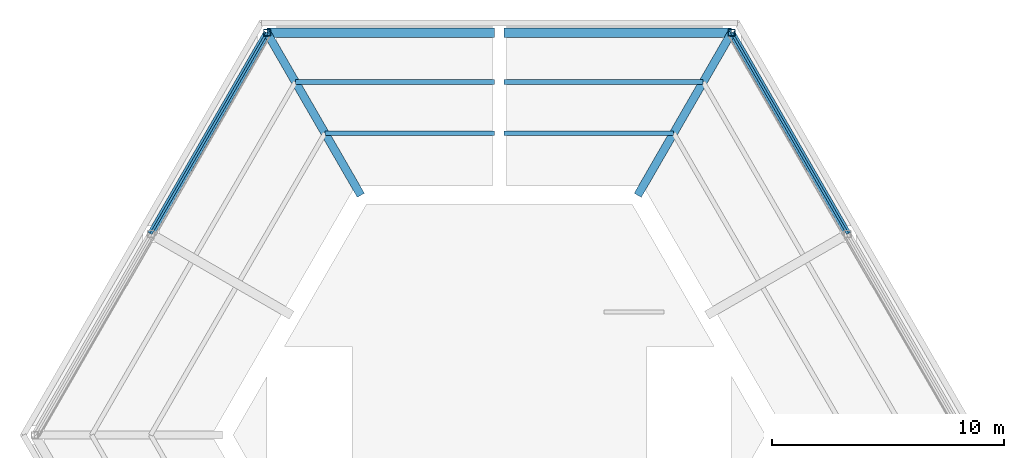
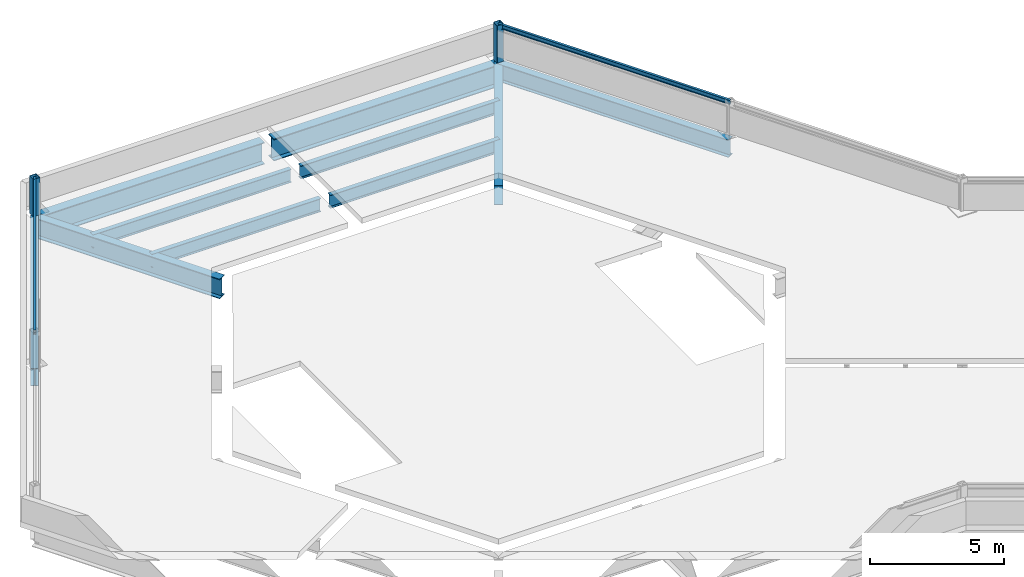
# One storey, part 4 of 6: 12 beams, 2 members.
"""IFC4 building model written with IfcOpenShell, lengths in metres."""

from ifc_helpers import new_model, si_unit, direction, frame, origin, origin_2d, place, context, subcontext, project, spatial, hollow_rectangle, i_section, extrude, material, material_profile, profile_set, type_object, element, save


model = new_model("IFC4")

# Units and contexts
model_context = context("Model", 3, precision=1e-05, world=origin(), true_north=direction((0.0, 1.0)))
body_context = subcontext(model_context, "Body", "Model", "MODEL_VIEW")
ifc_project = project(units=[si_unit("LENGTHUNIT", "METRE"), si_unit("AREAUNIT", "SQUARE_METRE"), si_unit("VOLUMEUNIT", "CUBIC_METRE"), si_unit("PLANEANGLEUNIT", "RADIAN"), si_unit("MASSUNIT", "GRAM", prefix="KILO")], contexts=[model_context])

# Site, building, storey
site_placement = place(None, origin())
site = spatial("IfcSite", under=ifc_project, at=site_placement, CompositionType="ELEMENT")
building_placement = place(site_placement, origin())
building = spatial("IfcBuilding", under=site, at=building_placement, Name="Kasaneha Research Tower", CompositionType="ELEMENT")
storey_placement = place(building_placement, frame((0.0, 0.0, 307.5)))
storey = spatial("IfcBuildingStorey", under=building, at=storey_placement, Name="RF", CompositionType="ELEMENT", Elevation=307.5)

# Beams
ifc_material_1 = material(Name="Steel SN490B", Category="steel")
ifc_material_profile_1 = material_profile(ifc_material_1, i_section(OverallWidth=0.199951171875, OverallDepth=0.60009765625, WebThickness=0.010986328125, FlangeThickness=0.01708984375, FilletRadius=0.012939453125, at=origin_2d()), Name="H-600x200x11x17")
ifc_profile_set_1 = profile_set([ifc_material_profile_1], Name="Steel SN490B")
beam_type_1 = type_object("IfcBeamType", Name="B1-6 secondary beam H-600x200x11x17", PredefinedType="JOIST", material=ifc_profile_set_1)
beam_1_placement = place(storey_placement, frame((7.505615234375, 13.0, -0.550048828125), z_axis=(-1.0, 0.0, 0.0), x_axis=(0.0, -1.0, 0.0)))
element("IfcBeam", 1, at=beam_1_placement, inside=storey, type_object=beam_type_1, Name="Secondary beam RS090L1 RF", PredefinedType="JOIST", context=body_context, shape_type="SweptSolid", body=[
    extrude(i_section(OverallWidth=0.199951171875, OverallDepth=0.60009765625, WebThickness=0.010986328125, FlangeThickness=0.01708984375, FilletRadius=0.012939453125, at=origin_2d()), origin(), (0.0, 0.0, 1.0), 7.3056640625),
])
beam_2_placement = place(storey_placement, frame((8.775634765625, 15.199951171875, -0.550048828125), z_axis=(-1.0, 0.0, 0.0), x_axis=(0.0, -1.0, 0.0)))
element("IfcBeam", 2, at=beam_2_placement, inside=storey, type_object=beam_type_1, Name="Secondary beam RS090L2 RF", PredefinedType="JOIST", context=body_context, shape_type="SweptSolid", body=[
    extrude(i_section(OverallWidth=0.199951171875, OverallDepth=0.60009765625, WebThickness=0.010986328125, FlangeThickness=0.01708984375, FilletRadius=0.012939453125, at=origin_2d()), origin(), (0.0, 0.0, 1.0), 8.57568359375),
])
beam_3_placement = place(storey_placement, frame((-7.505615234375, 13.0, -0.550048828125), z_axis=(1.0, 0.0, 0.0), x_axis=(0.0, 1.0, 0.0)))
element("IfcBeam", 3, at=beam_3_placement, inside=storey, type_object=beam_type_1, Name="Secondary beam RS090R1 RF", PredefinedType="JOIST", context=body_context, shape_type="SweptSolid", body=[
    extrude(i_section(OverallWidth=0.199951171875, OverallDepth=0.60009765625, WebThickness=0.010986328125, FlangeThickness=0.01708984375, FilletRadius=0.012939453125, at=origin_2d()), origin(), (0.0, 0.0, 1.0), 7.3056640625),
])
beam_4_placement = place(storey_placement, frame((-8.775634765625, 15.199951171875, -0.550048828125), z_axis=(1.0, 0.0, 0.0), x_axis=(0.0, 1.0, 0.0)))
element("IfcBeam", 4, at=beam_4_placement, inside=storey, type_object=beam_type_1, Name="Secondary beam RS090R2 RF", PredefinedType="JOIST", context=body_context, shape_type="SweptSolid", body=[
    extrude(i_section(OverallWidth=0.199951171875, OverallDepth=0.60009765625, WebThickness=0.010986328125, FlangeThickness=0.01708984375, FilletRadius=0.012939453125, at=origin_2d()), origin(), (0.0, 0.0, 1.0), 8.57568359375),
])

# Members
ifc_material_2 = material(Name="Steel BCR295", Category="steel")
ifc_material_profile_2 = material_profile(ifc_material_2, hollow_rectangle(XDim=0.300048828125, YDim=0.300048828125, WallThickness=0.011962890625, InnerFilletRadius=0.01806640625, OuterFilletRadius=0.030029296875, at=origin_2d()), Name="BCR-300x300x12")
ifc_profile_set_2 = profile_set([ifc_material_profile_2], Name="Steel BCR295")
member_type = type_object("IfcMemberType", Name="Crown screen post BCR-300x300x12", PredefinedType="POST", material=ifc_profile_set_2)
for number, where, z_axis, x_axis, name in (
    (5, (10.0, 17.320556640625, -0.199951171875), (0.0, 0.0, 1.0), (1.0, 0.0, 0.0), "Crown screen post V1"),
    (6, (-10.0, 17.320556640625, -0.199951171875), (0.0, 0.0, 1.0), (1.0, 0.0, 0.0), "Crown screen post V2"),
):
    element("IfcMember", number, at=place(storey_placement, frame(where, z_axis=z_axis, x_axis=x_axis)), inside=storey, type_object=member_type, Name=name, PredefinedType="POST", context=body_context, shape_type="SweptSolid", body=[
        extrude(hollow_rectangle(XDim=0.300048828125, YDim=0.300048828125, WallThickness=0.011962890625, InnerFilletRadius=0.01806640625, OuterFilletRadius=0.030029296875, at=origin_2d()), origin(), (0.0, 0.0, 1.0), 1.699951171875),
    ])

# Beams
ifc_material_3 = material(Name="Steel SN400B", Category="steel")
ifc_material_profile_3 = material_profile(ifc_material_3, i_section(OverallWidth=0.10009765625, OverallDepth=0.199951171875, WebThickness=0.005615234375, FlangeThickness=0.008056640625, FilletRadius=0.008056640625, at=origin_2d()), Name="H-200x100x5.5x8")
ifc_profile_set_3 = profile_set([ifc_material_profile_3], Name="Steel SN400B")
beam_type_2 = type_object("IfcBeamType", Name="Crown screen rail H-200x100x5.5x8", PredefinedType="BEAM", material=ifc_profile_set_3)
for number, where, z_axis, x_axis, name in (
    (7, (-15.0, 8.66015625, 1.39990234375), (0.499993662806, 0.866029062534, 0.0), (-0.866029062534, 0.499993662806, 0.0), "Crown screen rail M150-V2"),
    (8, (10.0, 17.320556640625, 1.39990234375), (0.499993662806, -0.866029062534, 0.0), (0.866029062534, 0.499993662806, 0.0), "Crown screen rail V1-M030"),
):
    element("IfcBeam", number, at=place(storey_placement, frame(where, z_axis=z_axis, x_axis=x_axis)), inside=storey, type_object=beam_type_2, Name=name, PredefinedType="BEAM", context=body_context, shape_type="SweptSolid", body=[
        extrude(i_section(OverallWidth=0.10009765625, OverallDepth=0.199951171875, WebThickness=0.005615234375, FlangeThickness=0.008056640625, FilletRadius=0.008056640625, at=origin_2d()), origin(), (0.0, 0.0, 1.0), 10.000244140625),
    ])
ifc_material_4 = material(Name="Steel SN490B", Category="steel")
ifc_material_profile_4 = material_profile(ifc_material_4, i_section(OverallWidth=0.35009765625, OverallDepth=0.89990234375, WebThickness=0.01611328125, FlangeThickness=0.031982421875, at=origin_2d()), Name="BH-900x350x16x32")
ifc_profile_set_4 = profile_set([ifc_material_profile_4], Name="Steel SN490B")
beam_type_3 = type_object("IfcBeamType", Name="G1-6 radial girder BH-900x350x16x32", PredefinedType="BEAM", material=ifc_profile_set_4)
for number, where, z_axis, x_axis, name in (
    (9, (5.961181640625, 10.324951171875, -0.699951171875), (0.49999105496, 0.866030568144, 0.0), (-0.866030568144, 0.49999105496, 0.0), "Radial girder RV060 RF"),
    (10, (-5.961181640625, 10.324951171875, -0.699951171875), (-0.49999105496, 0.866030568144, 0.0), (-0.866030568144, -0.49999105496, 0.0), "Radial girder RV120 RF"),
):
    element("IfcBeam", number, at=place(storey_placement, frame(where, z_axis=z_axis, x_axis=x_axis)), inside=storey, type_object=beam_type_3, Name=name, PredefinedType="BEAM", context=body_context, shape_type="SweptSolid", body=[
        extrude(i_section(OverallWidth=0.35009765625, OverallDepth=0.89990234375, WebThickness=0.01611328125, FlangeThickness=0.031982421875, at=origin_2d()), origin(), (0.0, 0.0, 1.0), 8.077880859375),
    ])
ifc_material_5 = material(Name="Steel SN490B", Category="steel")
ifc_material_profile_5 = material_profile(ifc_material_5, i_section(OverallWidth=0.39990234375, OverallDepth=1.0, WebThickness=0.01904296875, FlangeThickness=0.035888671875, at=origin_2d()), Name="BH-1000x400x19x36")
ifc_profile_set_5 = profile_set([ifc_material_profile_5], Name="Steel SN490B")
beam_type_4 = type_object("IfcBeamType", Name="G3-6 plate edge girder BH-1000x400x19x36", PredefinedType="BEAM", material=ifc_profile_set_5)
for number, where, z_axis, x_axis, name in (
    (11, (10.0, 17.320556640625, -0.75), (-1.0, 0.0, 0.0), (0.0, -1.0, 0.0), "Plate edge girder PEAP RF"),
    (12, (-10.0, 17.320556640625, -0.75), (1.0, 0.0, 0.0), (0.0, 1.0, 0.0), "Plate edge girder PEAN RF"),
):
    element("IfcBeam", number, at=place(storey_placement, frame(where, z_axis=z_axis, x_axis=x_axis)), inside=storey, type_object=beam_type_4, Name=name, PredefinedType="BEAM", context=body_context, shape_type="SweptSolid", body=[
        extrude(i_section(OverallWidth=0.39990234375, OverallDepth=1.0, WebThickness=0.01904296875, FlangeThickness=0.035888671875, at=origin_2d()), origin(), (0.0, 0.0, 1.0), 9.800048828125),
    ])
ifc_material_6 = material(Name="Steel SN490B", Category="steel")
ifc_material_profile_6 = material_profile(ifc_material_6, i_section(OverallWidth=0.300048828125, OverallDepth=0.800048828125, WebThickness=0.013916015625, FlangeThickness=0.02587890625, FilletRadius=0.01806640625, at=origin_2d()), Name="H-800x300x14x26")
ifc_profile_set_6 = profile_set([ifc_material_profile_6], Name="Steel SN490B")
beam_type_5 = type_object("IfcBeamType", Name="SB1-6 spandrel beam H-800x300x14x26", PredefinedType="SPANDREL", material=ifc_profile_set_6)
for number, where, z_axis, x_axis, name in (
    (13, (10.0, 17.320556640625, -0.64990234375), (0.499993662806, -0.866029062534, 0.0), (0.866029062534, 0.499993662806, 0.0), "Spandrel beam SR030R RF"),
    (14, (-10.0, 17.320556640625, -0.64990234375), (-0.499993662806, -0.866029062534, 0.0), (0.866029062534, -0.499993662806, 0.0), "Spandrel beam SR150L RF"),
):
    element("IfcBeam", number, at=place(storey_placement, frame(where, z_axis=z_axis, x_axis=x_axis)), inside=storey, type_object=beam_type_5, Name=name, PredefinedType="SPANDREL", context=body_context, shape_type="SweptSolid", body=[
        extrude(i_section(OverallWidth=0.300048828125, OverallDepth=0.800048828125, WebThickness=0.013916015625, FlangeThickness=0.02587890625, FilletRadius=0.01806640625, at=origin_2d()), origin(), (0.0, 0.0, 1.0), 10.000244140625),
    ])

save(model, "model.ifc")
